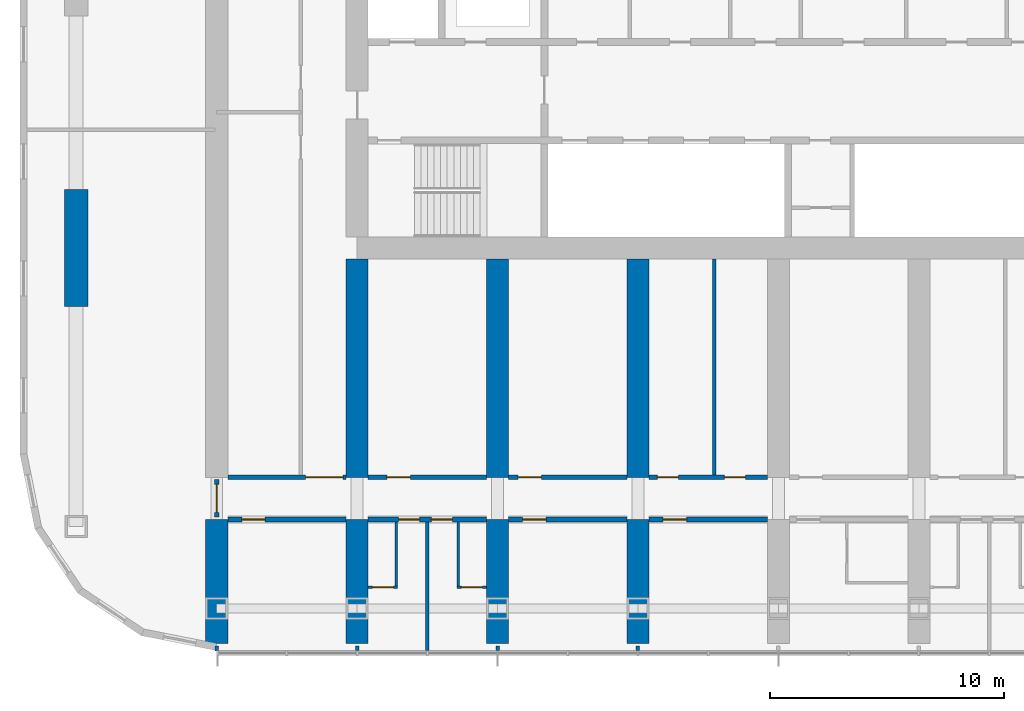
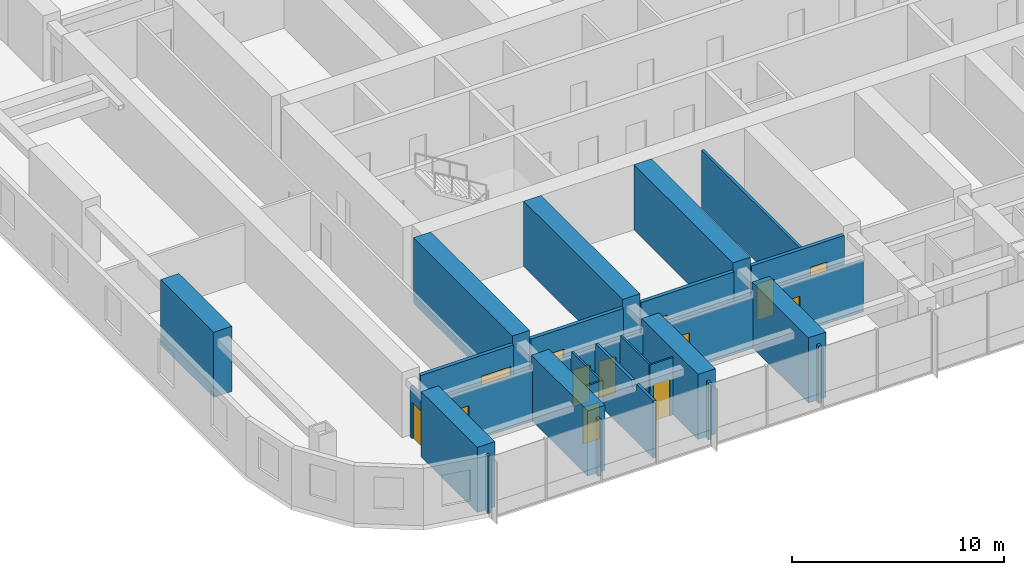
# One storey, part 8 of 21: 27 walls, 13 doors, 13 openings.
"""IFC4 building model written with IfcOpenShell, lengths in metres."""

from ifc_helpers import new_model, si_unit, direction, frame, frame_2d, origin, place, context, subcontext, project, spatial, polyline, rectangle, outline, extrude, material, layer, layer_set, type_object, element, fill, save


model = new_model("IFC4")

# Units and contexts
model_context = context("Model", 3, precision=1e-05, world=origin(), true_north=direction((0.0, 1.0)))
body_context = subcontext(model_context, "Body", "Model", "MODEL_VIEW")
ifc_project = project(units=[si_unit("LENGTHUNIT", "METRE"), si_unit("AREAUNIT", "SQUARE_METRE"), si_unit("VOLUMEUNIT", "CUBIC_METRE"), si_unit("PLANEANGLEUNIT", "RADIAN"), si_unit("MASSUNIT", "GRAM", prefix="KILO")], contexts=[model_context])

# Site, building, storey
site_placement = place(None, origin())
site = spatial("IfcSite", under=ifc_project, at=site_placement, CompositionType="ELEMENT")
building_placement = place(site_placement, origin())
building = spatial("IfcBuilding", under=site, at=building_placement, Name="Orbita Commons", CompositionType="ELEMENT")
storey_placement = place(building_placement, frame((0.0, 0.0, 110.64990234375)))
storey = spatial("IfcBuildingStorey", under=building, at=storey_placement, Name="L27", CompositionType="ELEMENT", Elevation=110.64990234375)

# Wall, opening, door
ifc_material_1 = material(Name="Concrete blockwork", Category="masonry")
ifc_layer_1 = layer(ifc_material_1, 0.199951171875)
ifc_layer_set_1 = layer_set([ifc_layer_1], Name="Concrete blockwork")
wall_type_1 = type_object("IfcWallType", Name="Corridor wall 200 blockwork", PredefinedType="SOLIDWALL", material=ifc_layer_set_1)
wall_1_placement = place(storey_placement, frame((12.47509765625, 14.199951171875, 0.0), z_axis=(0.0, 0.0, 1.0), x_axis=(1.0, 0.0, 0.0)))
wall_1 = element("IfcWall", 1, at=wall_1_placement, inside=storey, type_object=wall_type_1, Name="Corridor wall 200 blockwork L27", PredefinedType="SOLIDWALL", context=body_context, shape_type="SweptSolid", body=[
    extrude(outline(polyline([(0.0, 0.0), (5.0498046875, 0.0), (5.050048828125, 2.900146484375), (0.0, 2.900146484375), (0.0, 0.0)])), frame((0.0, 0.10009765625, 0.0), z_axis=(0.0, -1.0, 0.0), x_axis=(1.0, 0.0, 0.0)), (0.0, 0.0, 1.0), 0.199951171875),
])
opening_1_placement = place(wall_1_placement, frame((0.60009765625, 0.0, 0.0)))
opening_1 = element("IfcOpeningElement", 2, at=opening_1_placement, cuts=wall_1, Name="Opening D06", PredefinedType="OPENING", context=body_context, shape_type="SweptSolid", body=[
    extrude(rectangle(XDim=1.0, YDim=2.10009765625, at=frame_2d((0.5, 1.050048828125))), frame((0.0, 0.10986328125, 0.0), z_axis=(0.0, -1.0, 0.0), x_axis=(1.0, 0.0, 0.0)), (0.0, 0.0, 1.0), 0.219970703125),
])
ifc_material_2 = material(Name="Steel-faced fire door leaf", Category="steel")
door_type_1 = type_object("IfcDoorType", Name="Corridor door 20 min 1000x2100", OperationType="SINGLE_SWING_LEFT", PredefinedType="DOOR", material=ifc_material_2)
door_1_placement = place(opening_1_placement, origin())
door_1 = element("IfcDoor", 3, at=door_1_placement, inside=storey, type_object=door_type_1, Name="Mountain-view lounge L27-S00 door", OperationType="SINGLE_SWING_LEFT", OverallHeight=2.10009765625, OverallWidth=1.0, PredefinedType="DOOR", context=body_context, shape_type="SweptSolid", body=[
    extrude(rectangle(XDim=1.0, YDim=2.10009765625, at=frame_2d((0.5, 1.050048828125))), frame((0.0, 0.02490234375, 0.0), z_axis=(0.0, -1.0, 0.0), x_axis=(1.0, 0.0, 0.0)), (0.0, 0.0, 1.0), 0.050048828125),
])
fill(opening_1, door_1)

# Wall, openings, doors
wall_2_placement = place(storey_placement, frame((18.47509765625, 14.199951171875, 0.0), z_axis=(0.0, 0.0, 1.0), x_axis=(1.0, 0.0, 0.0)))
wall_2 = element("IfcWall", 4, at=wall_2_placement, inside=storey, type_object=wall_type_1, Name="Corridor wall 200 blockwork L27", PredefinedType="SOLIDWALL", context=body_context, shape_type="SweptSolid", body=[
    extrude(outline(polyline([(0.0, 0.0), (5.0498046875, 0.0), (5.050048828125, 2.900146484375), (0.0, 2.900146484375), (0.0, 0.0)])), frame((0.0, 0.10009765625, 0.0), z_axis=(0.0, -1.0, 0.0), x_axis=(1.0, 0.0, 0.0)), (0.0, 0.0, 1.0), 0.199951171875),
])
opening_2_placement = place(wall_2_placement, frame((1.300048828125, 0.0, 0.0)))
opening_2 = element("IfcOpeningElement", 5, at=opening_2_placement, cuts=wall_2, Name="Opening D11", PredefinedType="OPENING", context=body_context, shape_type="SweptSolid", body=[
    extrude(rectangle(XDim=0.89990234375, YDim=2.10009765625, at=frame_2d((0.449951171875, 1.050048828125))), frame((0.0, 0.10986328125, 0.0), z_axis=(0.0, -1.0, 0.0), x_axis=(1.0, 0.0, 0.0)), (0.0, 0.0, 1.0), 0.219970703125),
])
opening_3_placement = place(wall_2_placement, frame((2.699951171875, 0.0, 0.0)))
opening_3 = element("IfcOpeningElement", 6, at=opening_3_placement, cuts=wall_2, Name="Opening D11", PredefinedType="OPENING", context=body_context, shape_type="SweptSolid", body=[
    extrude(rectangle(XDim=0.89990234375, YDim=2.10009765625, at=frame_2d((0.449951171875, 1.050048828125))), frame((0.0, 0.10986328125, 0.0), z_axis=(0.0, -1.0, 0.0), x_axis=(1.0, 0.0, 0.0)), (0.0, 0.0, 1.0), 0.219970703125),
])
ifc_material_3 = material(Name="Steel-faced fire door leaf", Category="steel")
door_type_2 = type_object("IfcDoorType", Name="Corridor door 20 min 900x2100", OperationType="SINGLE_SWING_LEFT", PredefinedType="DOOR", material=ifc_material_3)
door_2_placement = place(opening_2_placement, origin())
door_2 = element("IfcDoor", 7, at=door_2_placement, inside=storey, type_object=door_type_2, Name="Cluster bedroom L27-S02 door", OperationType="SINGLE_SWING_LEFT", OverallHeight=2.10009765625, OverallWidth=0.89990234375, PredefinedType="DOOR", context=body_context, shape_type="SweptSolid", body=[
    extrude(rectangle(XDim=0.89990234375, YDim=2.10009765625, at=frame_2d((0.449951171875, 1.050048828125))), frame((0.0, 0.02490234375, 0.0), z_axis=(0.0, -1.0, 0.0), x_axis=(1.0, 0.0, 0.0)), (0.0, 0.0, 1.0), 0.050048828125),
])
fill(opening_2, door_2)
door_3_placement = place(opening_3_placement, origin())
door_3 = element("IfcDoor", 8, at=door_3_placement, inside=storey, type_object=door_type_2, Name="Cluster bedroom L27-S03 door", OperationType="SINGLE_SWING_LEFT", OverallHeight=2.10009765625, OverallWidth=0.89990234375, PredefinedType="DOOR", context=body_context, shape_type="SweptSolid", body=[
    extrude(rectangle(XDim=0.89990234375, YDim=2.10009765625, at=frame_2d((0.449951171875, 1.050048828125))), frame((0.0, 0.02490234375, 0.0), z_axis=(0.0, -1.0, 0.0), x_axis=(1.0, 0.0, 0.0)), (0.0, 0.0, 1.0), 0.050048828125),
])
fill(opening_3, door_3)

# Wall, opening, door
wall_3_placement = place(storey_placement, frame((24.47509765625, 14.199951171875, 0.0), z_axis=(0.0, 0.0, 1.0), x_axis=(1.0, 0.0, 0.0)))
wall_3 = element("IfcWall", 9, at=wall_3_placement, inside=storey, type_object=wall_type_1, Name="Corridor wall 200 blockwork L27", PredefinedType="SOLIDWALL", context=body_context, shape_type="SweptSolid", body=[
    extrude(outline(polyline([(0.0, 0.0), (5.0498046875, 0.0), (5.050048828125, 2.900146484375), (0.0, 2.900146484375), (0.0, 0.0)])), frame((0.0, 0.10009765625, 0.0), z_axis=(0.0, -1.0, 0.0), x_axis=(1.0, 0.0, 0.0)), (0.0, 0.0, 1.0), 0.199951171875),
])
opening_4_placement = place(wall_3_placement, frame((0.60009765625, 0.0, 0.0)))
opening_4 = element("IfcOpeningElement", 10, at=opening_4_placement, cuts=wall_3, Name="Opening D06", PredefinedType="OPENING", context=body_context, shape_type="SweptSolid", body=[
    extrude(rectangle(XDim=1.0, YDim=2.10009765625, at=frame_2d((0.5, 1.050048828125))), frame((0.0, 0.10986328125, 0.0), z_axis=(0.0, -1.0, 0.0), x_axis=(1.0, 0.0, 0.0)), (0.0, 0.0, 1.0), 0.219970703125),
])
door_4_placement = place(opening_4_placement, origin())
door_4 = element("IfcDoor", 11, at=door_4_placement, inside=storey, type_object=door_type_1, Name="Mountain-view lounge L27-S04 door", OperationType="SINGLE_SWING_LEFT", OverallHeight=2.10009765625, OverallWidth=1.0, PredefinedType="DOOR", context=body_context, shape_type="SweptSolid", body=[
    extrude(rectangle(XDim=1.0, YDim=2.10009765625, at=frame_2d((0.5, 1.050048828125))), frame((0.0, 0.02490234375, 0.0), z_axis=(0.0, -1.0, 0.0), x_axis=(1.0, 0.0, 0.0)), (0.0, 0.0, 1.0), 0.050048828125),
])
fill(opening_4, door_4)

wall_4_placement = place(storey_placement, frame((30.47509765625, 14.199951171875, 0.0), z_axis=(0.0, 0.0, 1.0), x_axis=(1.0, 0.0, 0.0)))
wall_4 = element("IfcWall", 12, at=wall_4_placement, inside=storey, type_object=wall_type_1, Name="Corridor wall 200 blockwork L27", PredefinedType="SOLIDWALL", context=body_context, shape_type="SweptSolid", body=[
    extrude(outline(polyline([(0.0, 0.0), (5.0498046875, 0.0), (5.050048828125, 2.900146484375), (0.0, 2.900146484375), (0.0, 0.0)])), frame((0.0, 0.10009765625, 0.0), z_axis=(0.0, -1.0, 0.0), x_axis=(1.0, 0.0, 0.0)), (0.0, 0.0, 1.0), 0.199951171875),
])
opening_5_placement = place(wall_4_placement, frame((0.60009765625, 0.0, 0.0)))
opening_5 = element("IfcOpeningElement", 13, at=opening_5_placement, cuts=wall_4, Name="Opening D06", PredefinedType="OPENING", context=body_context, shape_type="SweptSolid", body=[
    extrude(rectangle(XDim=1.0, YDim=2.10009765625, at=frame_2d((0.5, 1.050048828125))), frame((0.0, 0.10986328125, 0.0), z_axis=(0.0, -1.0, 0.0), x_axis=(1.0, 0.0, 0.0)), (0.0, 0.0, 1.0), 0.219970703125),
])
door_5_placement = place(opening_5_placement, origin())
door_5 = element("IfcDoor", 14, at=door_5_placement, inside=storey, type_object=door_type_1, Name="Mountain-view lounge L27-S06 door", OperationType="SINGLE_SWING_LEFT", OverallHeight=2.10009765625, OverallWidth=1.0, PredefinedType="DOOR", context=body_context, shape_type="SweptSolid", body=[
    extrude(rectangle(XDim=1.0, YDim=2.10009765625, at=frame_2d((0.5, 1.050048828125))), frame((0.0, 0.02490234375, 0.0), z_axis=(0.0, -1.0, 0.0), x_axis=(1.0, 0.0, 0.0)), (0.0, 0.0, 1.0), 0.050048828125),
])
fill(opening_5, door_5)

wall_5_placement = place(storey_placement, frame((12.0, 14.300048828125, 0.0), z_axis=(0.0, 0.0, 1.0), x_axis=(0.0, 1.0, 0.0)))
wall_5 = element("IfcWall", 15, at=wall_5_placement, inside=storey, type_object=wall_type_1, Name="Corridor wall 200 blockwork L27", PredefinedType="SOLIDWALL", context=body_context, shape_type="SweptSolid", body=[
    extrude(outline(polyline([(0.0, 0.0), (1.599853515625, 0.0), (1.60009765625, 2.900146484375), (0.0, 2.900146484375), (0.0, 0.0)])), frame((0.0, 0.10009765625, 0.0), z_axis=(0.0, -1.0, 0.0), x_axis=(1.0, 0.0, 0.0)), (0.0, 0.0, 1.0), 0.199951171875),
])
opening_6_placement = place(wall_5_placement, frame((0.199951171875, 0.0, 0.0)))
opening_6 = element("IfcOpeningElement", 16, at=opening_6_placement, cuts=wall_5, Name="Opening D12", PredefinedType="OPENING", context=body_context, shape_type="SweptSolid", body=[
    extrude(rectangle(XDim=1.199951171875, YDim=2.10009765625, at=frame_2d((0.60009765625, 1.050048828125))), frame((0.0, 0.10986328125, 0.0), z_axis=(0.0, -1.0, 0.0), x_axis=(1.0, 0.0, 0.0)), (0.0, 0.0, 1.0), 0.219970703125),
])
ifc_material_4 = material(Name="Steel-faced fire door leaf", Category="steel")
door_type_3 = type_object("IfcDoorType", Name="Double corridor door 20 min 1200x2100", OperationType="DOUBLE_DOOR_SINGLE_SWING", PredefinedType="DOOR", material=ifc_material_4)
door_6_placement = place(opening_6_placement, origin())
door_6 = element("IfcDoor", 17, at=door_6_placement, inside=storey, type_object=door_type_3, Name="Lounge doors", OperationType="DOUBLE_DOOR_SINGLE_SWING", OverallHeight=2.10009765625, OverallWidth=1.199951171875, PredefinedType="DOOR", context=body_context, shape_type="SweptSolid", body=[
    extrude(rectangle(XDim=1.199951171875, YDim=2.10009765625, at=frame_2d((0.60009765625, 1.050048828125))), frame((0.0, 0.02490234375, 0.0), z_axis=(0.0, -1.0, 0.0), x_axis=(1.0, 0.0, 0.0)), (0.0, 0.0, 1.0), 0.050048828125),
])
fill(opening_6, door_6)

ifc_material_5 = material(Name="Hollow concrete block 200", Category="concrete")
ifc_layer_2 = layer(ifc_material_5, 0.199951171875)
ifc_layer_set_2 = layer_set([ifc_layer_2], Name="Hollow concrete block 200")
wall_type_2 = type_object("IfcWallType", Name="Corridor wall 200 hollow concrete block", PredefinedType="SOLIDWALL", material=ifc_layer_set_2)
wall_6_placement = place(storey_placement, frame((12.47509765625, 16.0, 0.0), z_axis=(0.0, 0.0, 1.0), x_axis=(1.0, 0.0, 0.0)))
wall_6 = element("IfcWall", 18, at=wall_6_placement, inside=storey, type_object=wall_type_2, Name="Corridor wall 200 hollow concrete block L27", PredefinedType="SOLIDWALL", context=body_context, shape_type="SweptSolid", body=[
    extrude(rectangle(XDim=5.0498046875, YDim=0.199951171875, at=frame_2d((2.52490234375, 0.0))), origin(), (0.0, 0.0, 1.0), 3.300048828125),
])
opening_7_placement = place(wall_6_placement, frame((3.324951171875, 0.0, 0.0)))
opening_7 = element("IfcOpeningElement", 19, at=opening_7_placement, cuts=wall_6, Name="Opening D10", PredefinedType="OPENING", context=body_context, shape_type="SweptSolid", body=[
    extrude(rectangle(XDim=1.60009765625, YDim=2.10009765625, at=frame_2d((0.800048828125, 1.050048828125))), frame((0.0, 0.10986328125, 0.0), z_axis=(0.0, -1.0, 0.0), x_axis=(1.0, 0.0, 0.0)), (0.0, 0.0, 1.0), 0.219970703125),
])
ifc_material_6 = material(Name="Steel-faced fire door leaf", Category="steel")
door_type_4 = type_object("IfcDoorType", Name="Double corridor door 20 min 1600x2100", OperationType="DOUBLE_DOOR_SINGLE_SWING", PredefinedType="DOOR", material=ifc_material_6)
door_7_placement = place(opening_7_placement, origin())
door_7 = element("IfcDoor", 20, at=door_7_placement, inside=storey, type_object=door_type_4, Name="Cross corridor doors", OperationType="DOUBLE_DOOR_SINGLE_SWING", OverallHeight=2.10009765625, OverallWidth=1.60009765625, PredefinedType="DOOR", context=body_context, shape_type="SweptSolid", body=[
    extrude(rectangle(XDim=1.60009765625, YDim=2.10009765625, at=frame_2d((0.800048828125, 1.050048828125))), frame((0.0, 0.02490234375, 0.0), z_axis=(0.0, -1.0, 0.0), x_axis=(1.0, 0.0, 0.0)), (0.0, 0.0, 1.0), 0.050048828125),
])
fill(opening_7, door_7)

wall_7_placement = place(storey_placement, frame((18.47509765625, 16.0, 0.0), z_axis=(0.0, 0.0, 1.0), x_axis=(1.0, 0.0, 0.0)))
wall_7 = element("IfcWall", 21, at=wall_7_placement, inside=storey, type_object=wall_type_2, Name="Corridor wall 200 hollow concrete block L27", PredefinedType="SOLIDWALL", context=body_context, shape_type="SweptSolid", body=[
    extrude(rectangle(XDim=5.0498046875, YDim=0.199951171875, at=frame_2d((2.52490234375, 0.0))), origin(), (0.0, 0.0, 1.0), 3.300048828125),
])
opening_8_placement = place(wall_7_placement, frame((0.800048828125, 0.0, 0.0)))
opening_8 = element("IfcOpeningElement", 22, at=opening_8_placement, cuts=wall_7, Name="Opening D06", PredefinedType="OPENING", context=body_context, shape_type="SweptSolid", body=[
    extrude(rectangle(XDim=1.0, YDim=2.10009765625, at=frame_2d((0.5, 1.050048828125))), frame((0.0, 0.10986328125, 0.0), z_axis=(0.0, -1.0, 0.0), x_axis=(1.0, 0.0, 0.0)), (0.0, 0.0, 1.0), 0.219970703125),
])
door_8_placement = place(opening_8_placement, origin())
door_8 = element("IfcDoor", 23, at=door_8_placement, inside=storey, type_object=door_type_1, Name="Refuse and recycling room L27-BDS18 door", OperationType="SINGLE_SWING_LEFT", OverallHeight=2.10009765625, OverallWidth=1.0, PredefinedType="DOOR", context=body_context, shape_type="SweptSolid", body=[
    extrude(rectangle(XDim=1.0, YDim=2.10009765625, at=frame_2d((0.5, 1.050048828125))), frame((0.0, 0.02490234375, 0.0), z_axis=(0.0, -1.0, 0.0), x_axis=(1.0, 0.0, 0.0)), (0.0, 0.0, 1.0), 0.050048828125),
])
fill(opening_8, door_8)

wall_8_placement = place(storey_placement, frame((24.47509765625, 16.0, 0.0), z_axis=(0.0, 0.0, 1.0), x_axis=(1.0, 0.0, 0.0)))
wall_8 = element("IfcWall", 24, at=wall_8_placement, inside=storey, type_object=wall_type_2, Name="Corridor wall 200 hollow concrete block L27", PredefinedType="SOLIDWALL", context=body_context, shape_type="SweptSolid", body=[
    extrude(rectangle(XDim=5.0498046875, YDim=0.199951171875, at=frame_2d((2.52490234375, 0.0))), origin(), (0.0, 0.0, 1.0), 3.300048828125),
])
opening_9_placement = place(wall_8_placement, frame((0.39990234375, 0.0, 0.0)))
opening_9 = element("IfcOpeningElement", 25, at=opening_9_placement, cuts=wall_8, Name="Opening D06", PredefinedType="OPENING", context=body_context, shape_type="SweptSolid", body=[
    extrude(rectangle(XDim=1.0, YDim=2.10009765625, at=frame_2d((0.5, 1.050048828125))), frame((0.0, 0.10986328125, 0.0), z_axis=(0.0, -1.0, 0.0), x_axis=(1.0, 0.0, 0.0)), (0.0, 0.0, 1.0), 0.219970703125),
])
door_9_placement = place(opening_9_placement, origin())
door_9 = element("IfcDoor", 26, at=door_9_placement, inside=storey, type_object=door_type_1, Name="Drying room L27-BDS24 door", OperationType="SINGLE_SWING_LEFT", OverallHeight=2.10009765625, OverallWidth=1.0, PredefinedType="DOOR", context=body_context, shape_type="SweptSolid", body=[
    extrude(rectangle(XDim=1.0, YDim=2.10009765625, at=frame_2d((0.5, 1.050048828125))), frame((0.0, 0.02490234375, 0.0), z_axis=(0.0, -1.0, 0.0), x_axis=(1.0, 0.0, 0.0)), (0.0, 0.0, 1.0), 0.050048828125),
])
fill(opening_9, door_9)

# Wall, openings, doors
wall_9_placement = place(storey_placement, frame((30.47509765625, 16.0, 0.0), z_axis=(0.0, 0.0, 1.0), x_axis=(1.0, 0.0, 0.0)))
wall_9 = element("IfcWall", 27, at=wall_9_placement, inside=storey, type_object=wall_type_2, Name="Corridor wall 200 hollow concrete block L27", PredefinedType="SOLIDWALL", context=body_context, shape_type="SweptSolid", body=[
    extrude(rectangle(XDim=5.0498046875, YDim=0.199951171875, at=frame_2d((2.52490234375, 0.0))), origin(), (0.0, 0.0, 1.0), 3.300048828125),
])
opening_10_placement = place(wall_9_placement, frame((0.35009765625, 0.0, 0.0)))
opening_10 = element("IfcOpeningElement", 28, at=opening_10_placement, cuts=wall_9, Name="Opening D11", PredefinedType="OPENING", context=body_context, shape_type="SweptSolid", body=[
    extrude(rectangle(XDim=0.89990234375, YDim=2.10009765625, at=frame_2d((0.449951171875, 1.050048828125))), frame((0.0, 0.10986328125, 0.0), z_axis=(0.0, -1.0, 0.0), x_axis=(1.0, 0.0, 0.0)), (0.0, 0.0, 1.0), 0.219970703125),
])
opening_11_placement = place(wall_9_placement, frame((3.215087890625, 0.0, 0.0)))
opening_11 = element("IfcOpeningElement", 29, at=opening_11_placement, cuts=wall_9, Name="Opening D11", PredefinedType="OPENING", context=body_context, shape_type="SweptSolid", body=[
    extrude(rectangle(XDim=0.89990234375, YDim=2.10009765625, at=frame_2d((0.449951171875, 1.050048828125))), frame((0.0, 0.10986328125, 0.0), z_axis=(0.0, -1.0, 0.0), x_axis=(1.0, 0.0, 0.0)), (0.0, 0.0, 1.0), 0.219970703125),
])
door_10_placement = place(opening_10_placement, origin())
door_10 = element("IfcDoor", 30, at=door_10_placement, inside=storey, type_object=door_type_2, Name="Quiet room L27-BDS30 door", OperationType="SINGLE_SWING_LEFT", OverallHeight=2.10009765625, OverallWidth=0.89990234375, PredefinedType="DOOR", context=body_context, shape_type="SweptSolid", body=[
    extrude(rectangle(XDim=0.89990234375, YDim=2.10009765625, at=frame_2d((0.449951171875, 1.050048828125))), frame((0.0, 0.02490234375, 0.0), z_axis=(0.0, -1.0, 0.0), x_axis=(1.0, 0.0, 0.0)), (0.0, 0.0, 1.0), 0.050048828125),
])
fill(opening_10, door_10)
door_11_placement = place(opening_11_placement, origin())
door_11 = element("IfcDoor", 31, at=door_11_placement, inside=storey, type_object=door_type_2, Name="Accessible WC and shower room L27-BDS30n door", OperationType="SINGLE_SWING_LEFT", OverallHeight=2.10009765625, OverallWidth=0.89990234375, PredefinedType="DOOR", context=body_context, shape_type="SweptSolid", body=[
    extrude(rectangle(XDim=0.89990234375, YDim=2.10009765625, at=frame_2d((0.449951171875, 1.050048828125))), frame((0.0, 0.02490234375, 0.0), z_axis=(0.0, -1.0, 0.0), x_axis=(1.0, 0.0, 0.0)), (0.0, 0.0, 1.0), 0.050048828125),
])
fill(opening_11, door_11)

# Walls
ifc_material_7 = material(Name="Concrete C50/60", Category="concrete")
ifc_layer_3 = layer(ifc_material_7, 0.949951171875)
ifc_layer_set_3 = layer_set([ifc_layer_3], Name="Concrete C50/60")
wall_type_3 = type_object("IfcWallType", Name="Cross wall 950 C50/60", PredefinedType="SHEAR", material=ifc_layer_set_3)
for number, where, z_axis, x_axis, name in (
    (32, (12.0, 8.89990234375, 0.0), (0.0, 0.0, 1.0), (0.0, 1.0, 0.0), "Cross wall 3 south outer L27"),
    (33, (18.0, 8.89990234375, 0.0), (0.0, 0.0, 1.0), (0.0, 1.0, 0.0), "Cross wall 4 south outer L27"),
):
    element("IfcWall", number, at=place(storey_placement, frame(where, z_axis=z_axis, x_axis=x_axis)), inside=storey, type_object=wall_type_3, Name=name, PredefinedType="SHEAR", context=body_context, shape_type="SweptSolid", body=[
        extrude(rectangle(XDim=5.300048828125, YDim=0.949951171875, at=frame_2d((2.64990234375, 0.0))), origin(), (0.0, 0.0, 1.0), 3.75),
    ])
wall_10_placement = place(storey_placement, frame((18.0, 16.0, 0.0), z_axis=(0.0, 0.0, 1.0), x_axis=(0.0, 1.0, 0.0)))
element("IfcWall", 34, at=wall_10_placement, inside=storey, type_object=wall_type_3, Name="Cross wall 4 south inner L27", PredefinedType="SHEAR", context=body_context, shape_type="SweptSolid", body=[
    extrude(rectangle(XDim=9.324951171875, YDim=0.949951171875, at=frame_2d((4.66259765625, 0.0))), origin(), (0.0, 0.0, 1.0), 3.75),
])
wall_11_placement = place(storey_placement, frame((24.0, 8.89990234375, 0.0), z_axis=(0.0, 0.0, 1.0), x_axis=(0.0, 1.0, 0.0)))
element("IfcWall", 35, at=wall_11_placement, inside=storey, type_object=wall_type_3, Name="Cross wall 5 south outer L27", PredefinedType="SHEAR", context=body_context, shape_type="SweptSolid", body=[
    extrude(rectangle(XDim=5.300048828125, YDim=0.949951171875, at=frame_2d((2.64990234375, 0.0))), origin(), (0.0, 0.0, 1.0), 3.75),
])
wall_12_placement = place(storey_placement, frame((24.0, 16.0, 0.0), z_axis=(0.0, 0.0, 1.0), x_axis=(0.0, 1.0, 0.0)))
element("IfcWall", 36, at=wall_12_placement, inside=storey, type_object=wall_type_3, Name="Cross wall 5 south inner L27", PredefinedType="SHEAR", context=body_context, shape_type="SweptSolid", body=[
    extrude(rectangle(XDim=9.324951171875, YDim=0.949951171875, at=frame_2d((4.66259765625, 0.0))), origin(), (0.0, 0.0, 1.0), 3.75),
])
wall_13_placement = place(storey_placement, frame((30.0, 8.89990234375, 0.0), z_axis=(0.0, 0.0, 1.0), x_axis=(0.0, 1.0, 0.0)))
element("IfcWall", 37, at=wall_13_placement, inside=storey, type_object=wall_type_3, Name="Cross wall 6 south outer L27", PredefinedType="SHEAR", context=body_context, shape_type="SweptSolid", body=[
    extrude(rectangle(XDim=5.300048828125, YDim=0.949951171875, at=frame_2d((2.64990234375, 0.0))), origin(), (0.0, 0.0, 1.0), 3.75),
])
wall_14_placement = place(storey_placement, frame((30.0, 16.0, 0.0), z_axis=(0.0, 0.0, 1.0), x_axis=(0.0, 1.0, 0.0)))
element("IfcWall", 38, at=wall_14_placement, inside=storey, type_object=wall_type_3, Name="Cross wall 6 south inner L27", PredefinedType="SHEAR", context=body_context, shape_type="SweptSolid", body=[
    extrude(rectangle(XDim=9.324951171875, YDim=0.949951171875, at=frame_2d((4.66259765625, 0.0))), origin(), (0.0, 0.0, 1.0), 3.75),
])

# Wall, opening, door
ifc_material_8 = material(Name="Moisture-resistant plasterboard on steel studs", Category="steel")
ifc_layer_4 = layer(ifc_material_8, 0.10009765625)
ifc_layer_set_4 = layer_set([ifc_layer_4], Name="Moisture-resistant plasterboard on steel studs")
wall_type_4 = type_object("IfcWallType", Name="En-suite partition 100", PredefinedType="PARTITIONING", material=ifc_layer_set_4)
wall_15_placement = place(storey_placement, frame((19.72509765625, 11.300048828125, 0.0), z_axis=(0.0, 0.0, 1.0), x_axis=(-1.0, 0.0, 0.0)))
wall_15 = element("IfcWall", 39, at=wall_15_placement, inside=storey, type_object=wall_type_4, Name="En-suite partition 100 L27", PredefinedType="PARTITIONING", context=body_context, shape_type="SweptSolid", body=[
    extrude(rectangle(XDim=1.25, YDim=0.10009765625, at=frame_2d((0.625, 0.0))), origin(), (0.0, 0.0, 1.0), 3.300048828125),
])
opening_12_placement = place(wall_15_placement, frame((0.175048828125, 0.0, 0.0)))
opening_12 = element("IfcOpeningElement", 40, at=opening_12_placement, cuts=wall_15, Name="Opening D09", PredefinedType="OPENING", context=body_context, shape_type="SweptSolid", body=[
    extrude(rectangle(XDim=0.89990234375, YDim=2.10009765625, at=frame_2d((0.449951171875, 1.050048828125))), frame((0.0, 0.06005859375, 0.0), z_axis=(0.0, -1.0, 0.0), x_axis=(1.0, 0.0, 0.0)), (0.0, 0.0, 1.0), 0.1201171875),
])
ifc_material_9 = material(Name="Laminated timber door leaf", Category="wood")
door_type_5 = type_object("IfcDoorType", Name="En-suite door 900x2100", OperationType="SINGLE_SWING_RIGHT", PredefinedType="DOOR", material=ifc_material_9)
door_12_placement = place(opening_12_placement, origin())
door_12 = element("IfcDoor", 41, at=door_12_placement, inside=storey, type_object=door_type_5, Name="En-suite L27-S02 door", OperationType="SINGLE_SWING_RIGHT", OverallHeight=2.10009765625, OverallWidth=0.89990234375, PredefinedType="DOOR", context=body_context, shape_type="SweptSolid", body=[
    extrude(rectangle(XDim=0.89990234375, YDim=2.10009765625, at=frame_2d((0.449951171875, 1.050048828125))), frame((0.0, 0.02490234375, 0.0), z_axis=(0.0, -1.0, 0.0), x_axis=(1.0, 0.0, 0.0)), (0.0, 0.0, 1.0), 0.050048828125),
])
fill(opening_12, door_12)

# Wall
wall_16_placement = place(storey_placement, frame((19.675048828125, 11.35009765625, 0.0), z_axis=(0.0, 0.0, 1.0), x_axis=(0.0, 1.0, 0.0)))
element("IfcWall", 42, at=wall_16_placement, inside=storey, type_object=wall_type_4, Name="En-suite partition 100 L27", PredefinedType="PARTITIONING", context=body_context, shape_type="SweptSolid", body=[
    extrude(outline(polyline([(0.0, 0.0), (2.75, 0.0), (2.75, 2.900146484375), (2.701904296875, 2.900146484375), (2.699951171875, 3.300048828125), (0.0, 3.300048828125), (0.0, 0.0)])), frame((0.0, 0.050048828125, 0.0), z_axis=(0.0, -1.0, 0.0), x_axis=(1.0, 0.0, 0.0)), (0.0, 0.0, 1.0), 0.10009765625),
])

# Wall, opening, door
wall_17_placement = place(storey_placement, frame((23.52490234375, 11.300048828125, 0.0), z_axis=(0.0, 0.0, 1.0), x_axis=(-1.0, 0.0, 0.0)))
wall_17 = element("IfcWall", 43, at=wall_17_placement, inside=storey, type_object=wall_type_4, Name="En-suite partition 100 L27", PredefinedType="PARTITIONING", context=body_context, shape_type="SweptSolid", body=[
    extrude(rectangle(XDim=1.25, YDim=0.10009765625, at=frame_2d((0.625, 0.0))), origin(), (0.0, 0.0, 1.0), 3.300048828125),
])
opening_13_placement = place(wall_17_placement, frame((0.175048828125, 0.0, 0.0)))
opening_13 = element("IfcOpeningElement", 44, at=opening_13_placement, cuts=wall_17, Name="Opening D09", PredefinedType="OPENING", context=body_context, shape_type="SweptSolid", body=[
    extrude(rectangle(XDim=0.89990234375, YDim=2.10009765625, at=frame_2d((0.449951171875, 1.050048828125))), frame((0.0, 0.06005859375, 0.0), z_axis=(0.0, -1.0, 0.0), x_axis=(1.0, 0.0, 0.0)), (0.0, 0.0, 1.0), 0.1201171875),
])
door_13_placement = place(opening_13_placement, origin())
door_13 = element("IfcDoor", 45, at=door_13_placement, inside=storey, type_object=door_type_5, Name="En-suite L27-S03 door", OperationType="SINGLE_SWING_RIGHT", OverallHeight=2.10009765625, OverallWidth=0.89990234375, PredefinedType="DOOR", context=body_context, shape_type="SweptSolid", body=[
    extrude(rectangle(XDim=0.89990234375, YDim=2.10009765625, at=frame_2d((0.449951171875, 1.050048828125))), frame((0.0, 0.02490234375, 0.0), z_axis=(0.0, -1.0, 0.0), x_axis=(1.0, 0.0, 0.0)), (0.0, 0.0, 1.0), 0.050048828125),
])
fill(opening_13, door_13)

# Walls
wall_18_placement = place(storey_placement, frame((22.324951171875, 11.35009765625, 0.0), z_axis=(0.0, 0.0, 1.0), x_axis=(0.0, 1.0, 0.0)))
element("IfcWall", 46, at=wall_18_placement, inside=storey, type_object=wall_type_4, Name="En-suite partition 100 L27", PredefinedType="PARTITIONING", context=body_context, shape_type="SweptSolid", body=[
    extrude(outline(polyline([(0.0, 0.0), (2.75, 0.0), (2.75, 2.900146484375), (2.701904296875, 2.900146484375), (2.699951171875, 3.300048828125), (0.0, 3.300048828125), (0.0, 0.0)])), frame((0.0, 0.050048828125, 0.0), z_axis=(0.0, -1.0, 0.0), x_axis=(1.0, 0.0, 0.0)), (0.0, 0.0, 1.0), 0.10009765625),
])
ifc_material_10 = material(Name="Concrete C50/60", Category="concrete")
ifc_layer_5 = layer(ifc_material_10, 1.0)
ifc_layer_set_5 = layer_set([ifc_layer_5], Name="Concrete C50/60")
wall_type_5 = type_object("IfcWallType", Name="End pier 1000x5000 C50/60", PredefinedType="SHEAR", material=ifc_layer_set_5)
wall_19_placement = place(storey_placement, frame((6.0, 23.300048828125, 0.0), z_axis=(0.0, 0.0, 1.0), x_axis=(0.0, 1.0, 0.0)))
element("IfcWall", 47, at=wall_19_placement, inside=storey, type_object=wall_type_5, Name="End pier 2/C L27", PredefinedType="SHEAR", context=body_context, shape_type="SweptSolid", body=[
    extrude(rectangle(XDim=5.0, YDim=1.0, at=frame_2d((2.5, 0.0))), origin(), (0.0, 0.0, 1.0), 3.75),
])
ifc_material_11 = material(Name="Gypsum plasterboard on steel studs", Category="steel")
ifc_layer_6 = layer(ifc_material_11, 0.14990234375)
ifc_layer_set_6 = layer_set([ifc_layer_6], Name="Gypsum plasterboard on steel studs")
wall_type_6 = type_object("IfcWallType", Name="Partition 150 plasterboard", PredefinedType="PARTITIONING", material=ifc_layer_set_6)
wall_20_placement = place(storey_placement, frame((33.264892578125, 16.10009765625, 0.0), z_axis=(0.0, 0.0, 1.0), x_axis=(0.0, 1.0, 0.0)))
element("IfcWall", 48, at=wall_20_placement, inside=storey, type_object=wall_type_6, Name="Partition 150 plasterboard L27", PredefinedType="PARTITIONING", context=body_context, shape_type="SweptSolid", body=[
    extrude(rectangle(XDim=9.224853515625, YDim=0.14990234375, at=frame_2d((4.6123046875, 0.0))), origin(), (0.0, 0.0, 1.0), 3.300048828125),
])
wall_21_placement = place(storey_placement, frame((12.0, 8.800048828125, 0.0), z_axis=(0.0, 0.0, 1.0), x_axis=(0.0, -1.0, 0.0)))
element("IfcWall", 49, at=wall_21_placement, inside=storey, type_object=wall_type_6, Name="Partition 150 plasterboard L27", PredefinedType="PARTITIONING", context=body_context, shape_type="SweptSolid", body=[
    extrude(rectangle(XDim=0.219970703125, YDim=0.14990234375, at=frame_2d((0.10986328125, 0.0))), origin(), (0.0, 0.0, 1.0), 3.300048828125),
])
for number, where, z_axis, x_axis, name in (
    (50, (18.0, 8.800048828125, 0.0), (0.0, 0.0, 1.0), (0.0, -1.0, 0.0), "Partition 150 plasterboard L27"),
    (51, (24.0, 8.800048828125, 0.0), (0.0, 0.0, 1.0), (0.0, -1.0, 0.0), "Partition 150 plasterboard L27"),
    (52, (30.0, 8.800048828125, 0.0), (0.0, 0.0, 1.0), (0.0, -1.0, 0.0), "Partition 150 plasterboard L27"),
):
    element("IfcWall", number, at=place(storey_placement, frame(where, z_axis=z_axis, x_axis=x_axis)), inside=storey, type_object=wall_type_6, Name=name, PredefinedType="PARTITIONING", context=body_context, shape_type="SweptSolid", body=[
        extrude(rectangle(XDim=0.18994140625, YDim=0.14990234375, at=frame_2d((0.094970703125, 0.0))), origin(), (0.0, 0.0, 1.0), 3.300048828125),
    ])
ifc_material_12 = material(Name="Gypsum plasterboard on steel studs", Category="steel")
ifc_layer_7 = layer(ifc_material_12, 0.14990234375)
ifc_layer_set_7 = layer_set([ifc_layer_7], Name="Gypsum plasterboard on steel studs")
wall_type_7 = type_object("IfcWallType", Name="Party wall 150 plasterboard", PredefinedType="PARTITIONING", material=ifc_layer_set_7)
wall_22_placement = place(storey_placement, frame((21.0, 8.610107421875, 0.0), z_axis=(0.0, 0.0, 1.0), x_axis=(0.0, 1.0, 0.0)))
element("IfcWall", 53, at=wall_22_placement, inside=storey, type_object=wall_type_7, Name="Party wall 150 plasterboard L27", PredefinedType="PARTITIONING", context=body_context, shape_type="SweptSolid", body=[
    extrude(outline(polyline([(0.0, 0.0), (5.489990234375, 0.0), (5.489990234375, 2.900146484375), (5.44189453125, 2.900146484375), (5.43994140625, 3.300048828125), (1.991943359375, 3.300048828125), (1.989990234375, 2.900146484375), (1.592041015625, 2.900146484375), (1.590087890625, 3.300048828125), (0.0, 3.300048828125), (0.0, 0.0)])), frame((0.0, 0.074951171875, 0.0), z_axis=(0.0, -1.0, 0.0), x_axis=(1.0, 0.0, 0.0)), (0.0, 0.0, 1.0), 0.14990234375),
])

save(model, "model.ifc")
